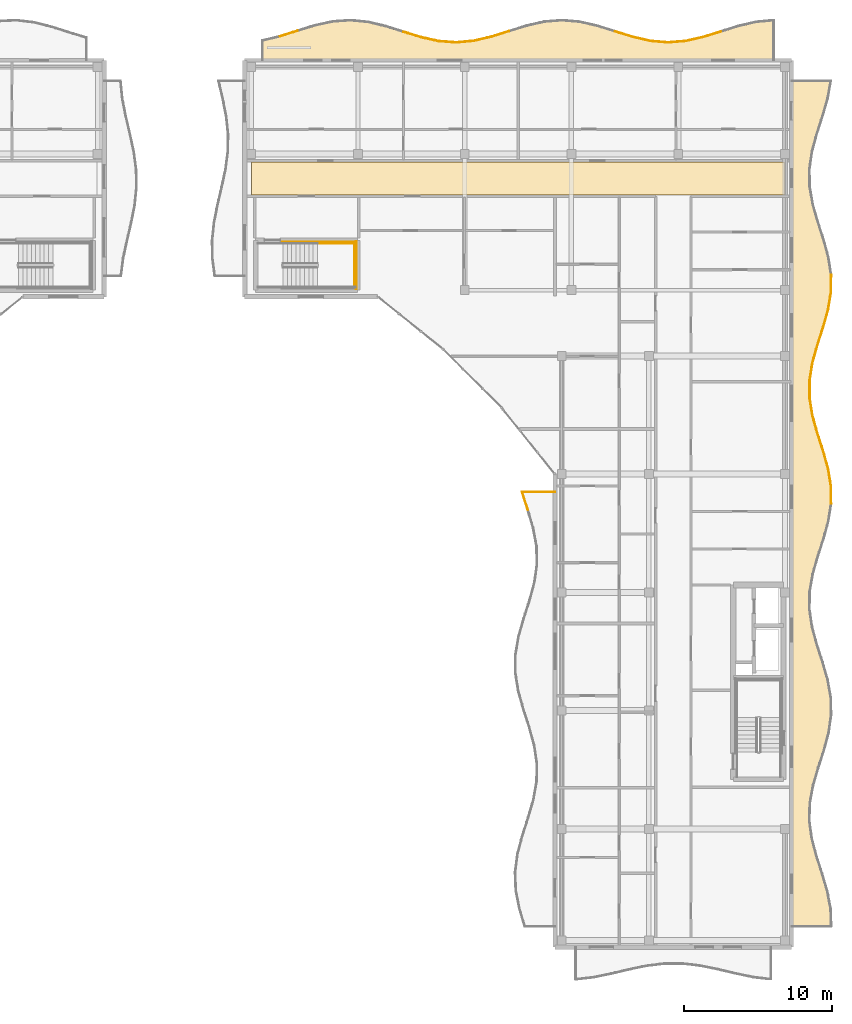
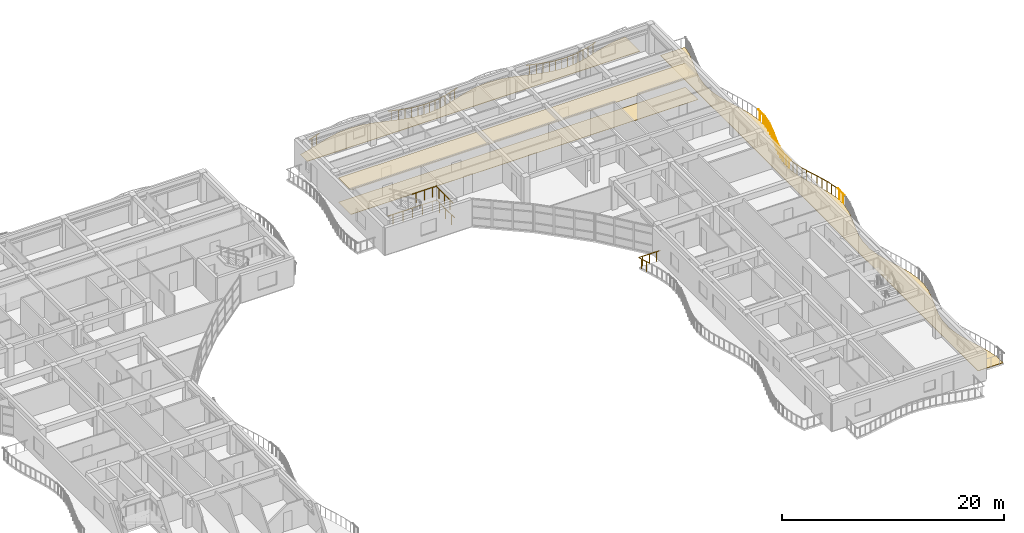
# One storey, part 71 of 72: 32 railings, 4 coverings.
"""IFC4 building model written with IfcOpenShell, lengths in metres."""

from ifc_helpers import new_model, si_unit, direction, frame, origin, origin_2d, place, context, subcontext, project, spatial, polyline, circle, outline, extrude, material, layer, layer_set, type_object, element, save


model = new_model("IFC4")

# Units and contexts
model_context = context("Model", 3, precision=1e-05, world=origin(), true_north=direction((0.0, 1.0)))
body_context = subcontext(model_context, "Body", "Model", "MODEL_VIEW")
ifc_project = project(units=[si_unit("LENGTHUNIT", "METRE"), si_unit("AREAUNIT", "SQUARE_METRE"), si_unit("VOLUMEUNIT", "CUBIC_METRE"), si_unit("PLANEANGLEUNIT", "RADIAN"), si_unit("MASSUNIT", "GRAM", prefix="KILO")], contexts=[model_context])

# Site, building, storey
site_placement = place(None, origin())
site = spatial("IfcSite", under=ifc_project, at=site_placement, CompositionType="ELEMENT")
building_placement = place(site_placement, origin())
building = spatial("IfcBuilding", under=site, at=building_placement, Name="Keldmere Railside Commons", CompositionType="ELEMENT")
storey_placement = place(building_placement, frame((0.0, 0.0, 16.9599609375)))
storey = spatial("IfcBuildingStorey", under=building, at=storey_placement, Name="L05", CompositionType="ELEMENT", Elevation=16.9599609375)

# Railings
ifc_material_1 = material(Name="Steel F-24 (S235)", Category="steel")
railing_type_1 = type_object("IfcRailingType", Name="Balcony & Terrace Steel Balustrade 1100", PredefinedType="BALUSTRADE", material=ifc_material_1)
railing_1_placement = place(storey_placement, frame((149.39306640625, 117.615234375, 0.0)))
element("IfcRailing", 1, at=railing_1_placement, inside=storey, type_object=railing_type_1, Name="GR-1 GRD-L05-3690", PredefinedType="BALUSTRADE", context=body_context, shape_type="SweptSolid", body=[
    extrude(circle(Radius=0.02392578125, at=origin_2d()), frame((0.0, 0.0, 1.076171875), z_axis=(0.953260788258, 0.302148754044, 0.0), x_axis=(-0.302148754044, 0.953260788258, 0.0)), (0.0, 0.0, 1.0), 1.251708984375),
    extrude(circle(Radius=0.02099609375, at=origin_2d()), frame((0.29833984375, 0.094482421875, 0.0)), (0.0, 0.0, 1.0), 1.048095703125),
    extrude(circle(Radius=0.02099609375, at=origin_2d()), frame((0.894775390625, 0.28369140625, 0.0)), (0.0, 0.0, 1.0), 1.048095703125),
])
railing_2_placement = place(storey_placement, frame((157.744873046875, 117.920166015625, 0.0)))
element("IfcRailing", 2, at=railing_2_placement, inside=storey, type_object=railing_type_1, Name="GR-1 GRD-L05-3697", PredefinedType="BALUSTRADE", context=body_context, shape_type="SweptSolid", body=[
    extrude(circle(Radius=0.02392578125, at=origin_2d()), frame((0.0, 0.0, 1.076171875), z_axis=(0.955376563598, -0.295390625659, 0.0), x_axis=(0.295390625659, 0.955376563598, 0.0)), (0.0, 0.0, 1.0), 1.248779296875),
    extrude(circle(Radius=0.02099609375, at=origin_2d()), frame((0.29833984375, -0.09228515625, 0.0)), (0.0, 0.0, 1.0), 1.048095703125),
    extrude(circle(Radius=0.02099609375, at=origin_2d()), frame((0.894775390625, -0.276611328125, 0.0)), (0.0, 0.0, 1.0), 1.048095703125),
])
railing_3_placement = place(storey_placement, frame((158.93798828125, 117.55126953125, 0.0)))
element("IfcRailing", 3, at=railing_3_placement, inside=storey, type_object=railing_type_1, Name="GR-1 GRD-L05-3698", PredefinedType="BALUSTRADE", context=body_context, shape_type="SweptSolid", body=[
    extrude(circle(Radius=0.02392578125, at=origin_2d()), frame((0.0, 0.0, 1.076171875), z_axis=(0.97652439159, -0.215406853721, 0.0), x_axis=(0.215406853721, 0.97652439159, 0.0)), (0.0, 0.0, 1.0), 1.2216796875),
    extrude(circle(Radius=0.02099609375, at=origin_2d()), frame((0.29833984375, -0.06591796875, 0.0)), (0.0, 0.0, 1.0), 1.048095703125),
    extrude(circle(Radius=0.02099609375, at=origin_2d()), frame((0.894775390625, -0.197265625, 0.0)), (0.0, 0.0, 1.0), 1.048095703125),
])
railing_4_placement = place(storey_placement, frame((160.131103515625, 117.2880859375, 0.0)))
element("IfcRailing", 4, at=railing_4_placement, inside=storey, type_object=railing_type_1, Name="GR-1 GRD-L05-3699", PredefinedType="BALUSTRADE", context=body_context, shape_type="SweptSolid", body=[
    extrude(circle(Radius=0.02392578125, at=origin_2d()), frame((0.0, 0.0, 1.076171875), z_axis=(0.99731267102, -0.073262788806, 0.0), x_axis=(0.073262788806, 0.99731267102, 0.0)), (0.0, 0.0, 1.0), 1.1962890625),
    extrude(circle(Radius=0.02099609375, at=origin_2d()), frame((0.29833984375, -0.02197265625, 0.0)), (0.0, 0.0, 1.0), 1.048095703125),
    extrude(circle(Radius=0.02099609375, at=origin_2d()), frame((0.894775390625, -0.065673828125, 0.0)), (0.0, 0.0, 1.0), 1.048095703125),
])
railing_5_placement = place(storey_placement, frame((161.32421875, 117.200439453125, 0.0)))
element("IfcRailing", 5, at=railing_5_placement, inside=storey, type_object=railing_type_1, Name="GR-1 GRD-L05-3700", PredefinedType="BALUSTRADE", context=body_context, shape_type="SweptSolid", body=[
    extrude(circle(Radius=0.02392578125, at=origin_2d()), frame((0.0, 0.0, 1.076171875), z_axis=(0.995710826386, 0.092519999013, 0.0), x_axis=(-0.092519999013, 0.995710826386, 0.0)), (0.0, 0.0, 1.0), 1.197998046875),
    extrude(circle(Radius=0.02099609375, at=origin_2d()), frame((0.29833984375, 0.02783203125, 0.0)), (0.0, 0.0, 1.0), 1.048095703125),
    extrude(circle(Radius=0.02099609375, at=origin_2d()), frame((0.89453125, 0.0830078125, 0.0)), (0.0, 0.0, 1.0), 1.048095703125),
])
railing_6_placement = place(storey_placement, frame((162.51708984375, 117.311279296875, 0.0)))
element("IfcRailing", 6, at=railing_6_placement, inside=storey, type_object=railing_type_1, Name="GR-1 GRD-L05-3701", PredefinedType="BALUSTRADE", context=body_context, shape_type="SweptSolid", body=[
    extrude(circle(Radius=0.02392578125, at=origin_2d()), frame((0.0, 0.0, 1.076171875), z_axis=(0.973545033959, 0.228495222826, 0.0), x_axis=(-0.228495222826, 0.973545033959, 0.0)), (0.0, 0.0, 1.0), 1.2255859375),
    extrude(circle(Radius=0.02099609375, at=origin_2d()), frame((0.29833984375, 0.070068359375, 0.0)), (0.0, 0.0, 1.0), 1.048095703125),
    extrude(circle(Radius=0.02099609375, at=origin_2d()), frame((0.894775390625, 0.2099609375, 0.0)), (0.0, 0.0, 1.0), 1.048095703125),
])
railing_7_placement = place(storey_placement, frame((163.710205078125, 117.59130859375, 0.0)))
element("IfcRailing", 7, at=railing_7_placement, inside=storey, type_object=railing_type_1, Name="GR-1 GRD-L05-3702", PredefinedType="BALUSTRADE", context=body_context, shape_type="SweptSolid", body=[
    extrude(circle(Radius=0.02392578125, at=origin_2d()), frame((0.0, 0.0, 1.076171875), z_axis=(0.953988930811, 0.299841824785, 0.0), x_axis=(-0.299841824785, 0.953988930811, 0.0)), (0.0, 0.0, 1.0), 1.250732421875),
    extrude(circle(Radius=0.02099609375, at=origin_2d()), frame((0.29833984375, 0.09375, 0.0)), (0.0, 0.0, 1.0), 1.048095703125),
    extrude(circle(Radius=0.02099609375, at=origin_2d()), frame((0.894775390625, 0.28125, 0.0)), (0.0, 0.0, 1.0), 1.048095703125),
])
railing_8_placement = place(storey_placement, frame((172.06201171875, 117.947021484375, 0.0)))
element("IfcRailing", 8, at=railing_8_placement, inside=storey, type_object=railing_type_1, Name="GR-1 GRD-L05-3709", PredefinedType="BALUSTRADE", context=body_context, shape_type="SweptSolid", body=[
    extrude(circle(Radius=0.02392578125, at=origin_2d()), frame((0.0, 0.0, 1.076171875), z_axis=(0.954545989282, -0.298063674984, 0.0), x_axis=(0.298063674984, 0.954545989282, 0.0)), (0.0, 0.0, 1.0), 1.25),
    extrude(circle(Radius=0.02099609375, at=origin_2d()), frame((0.29833984375, -0.09326171875, 0.0)), (0.0, 0.0, 1.0), 1.048095703125),
    extrude(circle(Radius=0.02099609375, at=origin_2d()), frame((0.894775390625, -0.279296875, 0.0)), (0.0, 0.0, 1.0), 1.048095703125),
])
railing_9_placement = place(storey_placement, frame((173.255126953125, 117.574462890625, 0.0)))
element("IfcRailing", 9, at=railing_9_placement, inside=storey, type_object=railing_type_1, Name="GR-1 GRD-L05-3710", PredefinedType="BALUSTRADE", context=body_context, shape_type="SweptSolid", body=[
    extrude(circle(Radius=0.02392578125, at=origin_2d()), frame((0.0, 0.0, 1.076171875), z_axis=(0.974773017353, -0.223198487092, 0.0), x_axis=(0.223198487092, 0.974773017353, 0.0)), (0.0, 0.0, 1.0), 1.223876953125),
    extrude(circle(Radius=0.02099609375, at=origin_2d()), frame((0.29833984375, -0.068359375, 0.0)), (0.0, 0.0, 1.0), 1.048095703125),
    extrude(circle(Radius=0.02099609375, at=origin_2d()), frame((0.894775390625, -0.204833984375, 0.0)), (0.0, 0.0, 1.0), 1.048095703125),
])
railing_10_placement = place(storey_placement, frame((174.4482421875, 117.30126953125, 0.0)))
element("IfcRailing", 10, at=railing_10_placement, inside=storey, type_object=railing_type_1, Name="GR-1 GRD-L05-3711", PredefinedType="BALUSTRADE", context=body_context, shape_type="SweptSolid", body=[
    extrude(circle(Radius=0.02392578125, at=origin_2d()), frame((0.0, 0.0, 1.076171875), z_axis=(0.996413751432, -0.084614632053, 0.0), x_axis=(0.084614632053, 0.996413751432, 0.0)), (0.0, 0.0, 1.0), 1.197509765625),
    extrude(circle(Radius=0.02099609375, at=origin_2d()), frame((0.29833984375, -0.025390625, 0.0)), (0.0, 0.0, 1.0), 1.048095703125),
    extrude(circle(Radius=0.02099609375, at=origin_2d()), frame((0.894775390625, -0.075927734375, 0.0)), (0.0, 0.0, 1.0), 1.048095703125),
])
railing_11_placement = place(storey_placement, frame((175.641357421875, 117.199951171875, 0.0)))
element("IfcRailing", 11, at=railing_11_placement, inside=storey, type_object=railing_type_1, Name="GR-1 GRD-L05-3712", PredefinedType="BALUSTRADE", context=body_context, shape_type="SweptSolid", body=[
    extrude(circle(Radius=0.02392578125, at=origin_2d()), frame((0.0, 0.0, 1.076171875), z_axis=(0.996683603188, 0.081374413274, 0.0), x_axis=(-0.081374413274, 0.996683603188, 0.0)), (0.0, 0.0, 1.0), 1.197021484375),
    extrude(circle(Radius=0.02099609375, at=origin_2d()), frame((0.29833984375, 0.0244140625, 0.0)), (0.0, 0.0, 1.0), 1.048095703125),
    extrude(circle(Radius=0.02099609375, at=origin_2d()), frame((0.894775390625, 0.072998046875, 0.0)), (0.0, 0.0, 1.0), 1.048095703125),
])
railing_12_placement = place(storey_placement, frame((176.83447265625, 117.29736328125, 0.0)))
element("IfcRailing", 12, at=railing_12_placement, inside=storey, type_object=railing_type_1, Name="GR-1 GRD-L05-3713", PredefinedType="BALUSTRADE", context=body_context, shape_type="SweptSolid", body=[
    extrude(circle(Radius=0.02392578125, at=origin_2d()), frame((0.0, 0.0, 1.076171875), z_axis=(0.975291397734, 0.220922360813, 0.0), x_axis=(-0.220922360813, 0.975291397734, 0.0)), (0.0, 0.0, 1.0), 1.223388671875),
    extrude(circle(Radius=0.02099609375, at=origin_2d()), frame((0.29833984375, 0.067626953125, 0.0)), (0.0, 0.0, 1.0), 1.048095703125),
    extrude(circle(Radius=0.02099609375, at=origin_2d()), frame((0.894775390625, 0.20263671875, 0.0)), (0.0, 0.0, 1.0), 1.048095703125),
])
railing_13_placement = place(storey_placement, frame((178.027587890625, 117.567626953125, 0.0)))
element("IfcRailing", 13, at=railing_13_placement, inside=storey, type_object=railing_type_1, Name="GR-1 GRD-L05-3714", PredefinedType="BALUSTRADE", context=body_context, shape_type="SweptSolid", body=[
    extrude(circle(Radius=0.02392578125, at=origin_2d()), frame((0.0, 0.0, 1.076171875), z_axis=(0.954768065673, 0.297351544087, 0.0), x_axis=(-0.297351544087, 0.954768065673, 0.0)), (0.0, 0.0, 1.0), 1.249755859375),
    extrude(circle(Radius=0.02099609375, at=origin_2d()), frame((0.29833984375, 0.0927734375, 0.0)), (0.0, 0.0, 1.0), 1.048095703125),
    extrude(circle(Radius=0.02099609375, at=origin_2d()), frame((0.894775390625, 0.27880859375, 0.0)), (0.0, 0.0, 1.0), 1.048095703125),
])
railing_14_placement = place(storey_placement, frame((166.16650390625, 85.574951171875, 0.0)))
element("IfcRailing", 14, at=railing_14_placement, inside=storey, type_object=railing_type_1, Name="GR-1 GRD-L05-3743", PredefinedType="BALUSTRADE", context=body_context, shape_type="SweptSolid", body=[
    extrude(circle(Radius=0.02392578125, at=origin_2d()), frame((0.0, 0.0, 1.076171875), z_axis=(-0.306021462963, 0.952024613235, 0.0), x_axis=(-0.952024613235, -0.306021462963, 0.0)), (0.0, 0.0, 1.0), 1.286865234375),
    extrude(circle(Radius=0.02099609375, at=origin_2d()), frame((-0.098388671875, 0.30615234375, 0.0)), (0.0, 0.0, 1.0), 1.048095703125),
    extrude(circle(Radius=0.02099609375, at=origin_2d()), frame((-0.29541015625, 0.9189453125, 0.0)), (0.0, 0.0, 1.0), 1.048095703125),
])
railing_15_placement = place(storey_placement, frame((165.772705078125, 86.800048828125, 0.0)))
element("IfcRailing", 15, at=railing_15_placement, inside=storey, type_object=railing_type_1, Name="GR-1 GRD-L05-3744", PredefinedType="BALUSTRADE", context=body_context, shape_type="SweptSolid", body=[
    extrude(circle(Radius=0.02392578125, at=origin_2d()), frame((0.0, 0.0, 1.076171875), z_axis=(1.0, 0.0, 0.0), x_axis=(0.0, 1.0, 0.0)), (0.0, 0.0, 1.0), 2.227294921875),
    extrude(circle(Radius=0.02099609375, at=origin_2d()), frame((0.37109375, 0.0, 0.0)), (0.0, 0.0, 1.0), 1.048095703125),
    extrude(circle(Radius=0.02099609375, at=origin_2d()), frame((1.11376953125, 0.0, 0.0)), (0.0, 0.0, 1.0), 1.048095703125),
    extrude(circle(Radius=0.02099609375, at=origin_2d()), frame((1.85595703125, 0.0, 0.0)), (0.0, 0.0, 1.0), 1.048095703125),
])
railing_16_placement = place(storey_placement, frame((186.67822265625, 86.0, 0.0)))
element("IfcRailing", 16, at=railing_16_placement, inside=storey, type_object=railing_type_1, Name="GR-1 GRD-L05-3770", PredefinedType="BALUSTRADE", context=body_context, shape_type="SweptSolid", body=[
    extrude(circle(Radius=0.02392578125, at=origin_2d()), frame((0.0, 0.0, 1.076171875), z_axis=(-0.005941300586, 0.999982350318, 0.0), x_axis=(-0.999982350318, -0.005941300586, 0.0)), (0.0, 0.0, 1.0), 1.191650390625),
    extrude(circle(Radius=0.02099609375, at=origin_2d()), frame((-0.001708984375, 0.2978515625, 0.0)), (0.0, 0.0, 1.0), 1.048095703125),
    extrude(circle(Radius=0.02099609375, at=origin_2d()), frame((-0.00537109375, 0.893798828125, 0.0)), (0.0, 0.0, 1.0), 1.048095703125),
])
railing_17_placement = place(storey_placement, frame((186.671142578125, 87.191650390625, 0.0)))
element("IfcRailing", 17, at=railing_17_placement, inside=storey, type_object=railing_type_1, Name="GR-1 GRD-L05-3771", PredefinedType="BALUSTRADE", context=body_context, shape_type="SweptSolid", body=[
    extrude(circle(Radius=0.02392578125, at=origin_2d()), frame((0.0, 0.0, 1.076171875), z_axis=(-0.163907359518, 0.986475735888, 0.0), x_axis=(-0.986475735888, -0.163907359518, 0.0)), (0.0, 0.0, 1.0), 1.2080078125),
    extrude(circle(Radius=0.02099609375, at=origin_2d()), frame((-0.049560546875, 0.2978515625, 0.0)), (0.0, 0.0, 1.0), 1.048095703125),
    extrude(circle(Radius=0.02099609375, at=origin_2d()), frame((-0.1484375, 0.893798828125, 0.0)), (0.0, 0.0, 1.0), 1.048095703125),
])
railing_18_placement = place(storey_placement, frame((186.47314453125, 88.38330078125, 0.0)))
element("IfcRailing", 18, at=railing_18_placement, inside=storey, type_object=railing_type_1, Name="GR-1 GRD-L05-3772", PredefinedType="BALUSTRADE", context=body_context, shape_type="SweptSolid", body=[
    extrude(circle(Radius=0.02392578125, at=origin_2d()), frame((0.0, 0.0, 1.076171875), z_axis=(-0.271333706361, 0.962485334845, 0.0), x_axis=(-0.962485334845, -0.271333706361, 0.0)), (0.0, 0.0, 1.0), 1.238037109375),
    extrude(circle(Radius=0.02099609375, at=origin_2d()), frame((-0.083984375, 0.2978515625, 0.0)), (0.0, 0.0, 1.0), 1.048095703125),
    extrude(circle(Radius=0.02099609375, at=origin_2d()), frame((-0.251953125, 0.893798828125, 0.0)), (0.0, 0.0, 1.0), 1.048095703125),
])
railing_19_placement = place(storey_placement, frame((186.13720703125, 89.574951171875, 0.0)))
element("IfcRailing", 19, at=railing_19_placement, inside=storey, type_object=railing_type_1, Name="GR-1 GRD-L05-3773", PredefinedType="BALUSTRADE", context=body_context, shape_type="SweptSolid", body=[
    extrude(circle(Radius=0.02392578125, at=origin_2d()), frame((0.0, 0.0, 1.076171875), z_axis=(-0.307970782238, 0.951395815256, 0.0), x_axis=(-0.951395815256, -0.307970782238, 0.0)), (0.0, 0.0, 1.0), 1.25244140625),
    extrude(circle(Radius=0.02099609375, at=origin_2d()), frame((-0.096435546875, 0.2978515625, 0.0)), (0.0, 0.0, 1.0), 1.048095703125),
    extrude(circle(Radius=0.02099609375, at=origin_2d()), frame((-0.289306640625, 0.893798828125, 0.0)), (0.0, 0.0, 1.0), 1.048095703125),
])
railing_20_placement = place(storey_placement, frame((185.75146484375, 90.7666015625, 0.0)))
element("IfcRailing", 20, at=railing_20_placement, inside=storey, type_object=railing_type_1, Name="GR-1 GRD-L05-3774", PredefinedType="BALUSTRADE", context=body_context, shape_type="SweptSolid", body=[
    extrude(circle(Radius=0.02392578125, at=origin_2d()), frame((0.0, 0.0, 1.076171875), z_axis=(-0.269139527182, 0.963101196608, 0.0), x_axis=(-0.963101196608, -0.269139527182, 0.0)), (0.0, 0.0, 1.0), 1.2373046875),
    extrude(circle(Radius=0.02099609375, at=origin_2d()), frame((-0.083251953125, 0.2978515625, 0.0)), (0.0, 0.0, 1.0), 1.048095703125),
    extrude(circle(Radius=0.02099609375, at=origin_2d()), frame((-0.249755859375, 0.893798828125, 0.0)), (0.0, 0.0, 1.0), 1.048095703125),
])
railing_21_placement = place(storey_placement, frame((185.41845703125, 91.958251953125, 0.0)))
element("IfcRailing", 21, at=railing_21_placement, inside=storey, type_object=railing_type_1, Name="GR-1 GRD-L05-3775", PredefinedType="BALUSTRADE", context=body_context, shape_type="SweptSolid", body=[
    extrude(circle(Radius=0.02392578125, at=origin_2d()), frame((0.0, 0.0, 1.076171875), z_axis=(-0.159575804118, 0.987185677945, 0.0), x_axis=(-0.987185677945, -0.159575804118, 0.0)), (0.0, 0.0, 1.0), 1.20703125),
    extrude(circle(Radius=0.02099609375, at=origin_2d()), frame((-0.048095703125, 0.2978515625, 0.0)), (0.0, 0.0, 1.0), 1.048095703125),
    extrude(circle(Radius=0.02099609375, at=origin_2d()), frame((-0.14453125, 0.893798828125, 0.0)), (0.0, 0.0, 1.0), 1.048095703125),
])
railing_22_placement = place(storey_placement, frame((185.225830078125, 93.14990234375, 0.0)))
element("IfcRailing", 22, at=railing_22_placement, inside=storey, type_object=railing_type_1, Name="GR-1 GRD-L05-3776", PredefinedType="BALUSTRADE", context=body_context, shape_type="SweptSolid", body=[
    extrude(circle(Radius=0.02392578125, at=origin_2d()), frame((0.0, 0.0, 1.076171875), z_axis=(-0.001024169885, 0.999999475538, 0.0), x_axis=(-0.999999475538, -0.001024169885, 0.0)), (0.0, 0.0, 1.0), 1.19189453125),
    extrude(circle(Radius=0.02099609375, at=origin_2d()), frame((-0.000244140625, 0.2978515625, 0.0)), (0.0, 0.0, 1.0), 1.048095703125),
    extrude(circle(Radius=0.02099609375, at=origin_2d()), frame((-0.0009765625, 0.89404296875, 0.0)), (0.0, 0.0, 1.0), 1.048095703125),
])
railing_23_placement = place(storey_placement, frame((185.224609375, 94.341796875, 0.0)))
element("IfcRailing", 23, at=railing_23_placement, inside=storey, type_object=railing_type_1, Name="GR-1 GRD-L05-3777", PredefinedType="BALUSTRADE", context=body_context, shape_type="SweptSolid", body=[
    extrude(circle(Radius=0.02392578125, at=origin_2d()), frame((0.0, 0.0, 1.076171875), z_axis=(0.158029959463, 0.987434317771, 0.0), x_axis=(-0.987434317771, 0.158029959463, 0.0)), (0.0, 0.0, 1.0), 1.20654296875),
    extrude(circle(Radius=0.02099609375, at=origin_2d()), frame((0.047607421875, 0.2978515625, 0.0)), (0.0, 0.0, 1.0), 1.048095703125),
    extrude(circle(Radius=0.02099609375, at=origin_2d()), frame((0.14306640625, 0.8935546875, 0.0)), (0.0, 0.0, 1.0), 1.048095703125),
])
railing_24_placement = place(storey_placement, frame((185.415283203125, 95.533203125, 0.0)))
element("IfcRailing", 24, at=railing_24_placement, inside=storey, type_object=railing_type_1, Name="GR-1 GRD-L05-3778", PredefinedType="BALUSTRADE", context=body_context, shape_type="SweptSolid", body=[
    extrude(circle(Radius=0.02392578125, at=origin_2d()), frame((0.0, 0.0, 1.076171875), z_axis=(0.268173055424, 0.963370755392, 0.0), x_axis=(-0.963370755392, 0.268173055424, 0.0)), (0.0, 0.0, 1.0), 1.2373046875),
    extrude(circle(Radius=0.02099609375, at=origin_2d()), frame((0.0830078125, 0.2978515625, 0.0)), (0.0, 0.0, 1.0), 1.048095703125),
    extrude(circle(Radius=0.02099609375, at=origin_2d()), frame((0.248779296875, 0.89404296875, 0.0)), (0.0, 0.0, 1.0), 1.048095703125),
])
railing_25_placement = place(storey_placement, frame((185.7470703125, 96.72509765625, 0.0)))
element("IfcRailing", 25, at=railing_25_placement, inside=storey, type_object=railing_type_1, Name="GR-1 GRD-L05-3779", PredefinedType="BALUSTRADE", context=body_context, shape_type="SweptSolid", body=[
    extrude(circle(Radius=0.02392578125, at=origin_2d()), frame((0.0, 0.0, 1.076171875), z_axis=(0.307794335351, 0.951452913772, 0.0), x_axis=(-0.951452913772, 0.307794335351, 0.0)), (0.0, 0.0, 1.0), 1.25244140625),
    extrude(circle(Radius=0.02099609375, at=origin_2d()), frame((0.096435546875, 0.2978515625, 0.0)), (0.0, 0.0, 1.0), 1.048095703125),
    extrude(circle(Radius=0.02099609375, at=origin_2d()), frame((0.2890625, 0.893798828125, 0.0)), (0.0, 0.0, 1.0), 1.048095703125),
])
railing_26_placement = place(storey_placement, frame((186.132568359375, 97.916748046875, 0.0)))
element("IfcRailing", 26, at=railing_26_placement, inside=storey, type_object=railing_type_1, Name="GR-1 GRD-L05-3780", PredefinedType="BALUSTRADE", context=body_context, shape_type="SweptSolid", body=[
    extrude(circle(Radius=0.02392578125, at=origin_2d()), frame((0.0, 0.0, 1.076171875), z_axis=(0.272429214059, 0.962175827657, 0.0), x_axis=(-0.962175827657, 0.272429214059, 0.0)), (0.0, 0.0, 1.0), 1.238525390625),
    extrude(circle(Radius=0.02099609375, at=origin_2d()), frame((0.08447265625, 0.2978515625, 0.0)), (0.0, 0.0, 1.0), 1.048095703125),
    extrude(circle(Radius=0.02099609375, at=origin_2d()), frame((0.2529296875, 0.893798828125, 0.0)), (0.0, 0.0, 1.0), 1.048095703125),
])
railing_27_placement = place(storey_placement, frame((186.469970703125, 99.1083984375, 0.0)))
element("IfcRailing", 27, at=railing_27_placement, inside=storey, type_object=railing_type_1, Name="GR-1 GRD-L05-3781", PredefinedType="BALUSTRADE", context=body_context, shape_type="SweptSolid", body=[
    extrude(circle(Radius=0.02392578125, at=origin_2d()), frame((0.0, 0.0, 1.076171875), z_axis=(0.165480136832, 0.986213123171, 0.0), x_axis=(-0.986213123171, 0.165480136832, 0.0)), (0.0, 0.0, 1.0), 1.208251953125),
    extrude(circle(Radius=0.02099609375, at=origin_2d()), frame((0.050048828125, 0.2978515625, 0.0)), (0.0, 0.0, 1.0), 1.048095703125),
    extrude(circle(Radius=0.02099609375, at=origin_2d()), frame((0.14990234375, 0.893798828125, 0.0)), (0.0, 0.0, 1.0), 1.048095703125),
])
railing_28_placement = place(storey_placement, frame((186.669921875, 100.300048828125, 0.0)))
element("IfcRailing", 28, at=railing_28_placement, inside=storey, type_object=railing_type_1, Name="GR-1 GRD-L05-3782", PredefinedType="BALUSTRADE", context=body_context, shape_type="SweptSolid", body=[
    extrude(circle(Radius=0.02392578125, at=origin_2d()), frame((0.0, 0.0, 1.076171875), z_axis=(0.007989910905, 0.999968080152, 0.0), x_axis=(-0.999968080152, 0.007989910905, 0.0)), (0.0, 0.0, 1.0), 1.191650390625),
    extrude(circle(Radius=0.02099609375, at=origin_2d()), frame((0.00244140625, 0.2978515625, 0.0)), (0.0, 0.0, 1.0), 1.048095703125),
    extrude(circle(Radius=0.02099609375, at=origin_2d()), frame((0.007080078125, 0.893798828125, 0.0)), (0.0, 0.0, 1.0), 1.048095703125),
])

# Covering
ifc_material_2 = material(Name="Polished Terrazzo Tile Flooring", Category="concrete")
ifc_layer_1 = layer(ifc_material_2, 0.030029296875, Name="Polished Terrazzo Floor Finish 30")
ifc_layer_set_1 = layer_set([ifc_layer_1], Name="Polished Terrazzo Tile Flooring")
covering_type_1 = type_object("IfcCoveringType", Name="Polished Terrazzo Floor Finish 30", PredefinedType="FLOORING", material=ifc_layer_set_1)
covering_1_placement = place(storey_placement, origin())
element("IfcCovering", 29, at=covering_1_placement, inside=storey, type_object=covering_type_1, Name="FLR-1 Corridor Terrazzo A-L05", PredefinedType="FLOORING", context=body_context, shape_type="SweptSolid", body=[
    extrude(outline(polyline([(147.47998046875, 106.8798828125), (183.52001953125, 106.8798828125), (183.52001953125, 109.1201171875), (147.47998046875, 109.1201171875), (147.47998046875, 106.8798828125)])), origin(), (0.0, 0.0, 1.0), 0.030029296875),
])

# Railings
railing_type_2 = type_object("IfcRailingType", Name="Stair Well Steel Guardrail 1100", PredefinedType="BALUSTRADE", material=ifc_material_1)
railing_29_placement = place(storey_placement, frame((151.919921875, 103.60009765625, 1.60009765625)))
element("IfcRailing", 30, at=railing_29_placement, inside=storey, type_object=railing_type_2, Name="L05 ST-A2 stair guard 4", PredefinedType="BALUSTRADE", context=body_context, shape_type="SweptSolid", body=[
    extrude(circle(Radius=0.02392578125, at=origin_2d()), frame((0.0, 0.0, 1.076171875), z_axis=(1.0, 0.0, 0.0), x_axis=(0.0, 1.0, 0.0)), (0.0, 0.0, 1.0), 2.580078125),
    extrude(circle(Radius=0.02099609375, at=origin_2d()), frame((0.429931640625, 0.0, 0.0)), (0.0, 0.0, 1.0), 1.048095703125),
    extrude(circle(Radius=0.02099609375, at=origin_2d()), frame((1.2900390625, 0.0, 0.0)), (0.0, 0.0, 1.0), 1.048095703125),
    extrude(circle(Radius=0.02099609375, at=origin_2d()), frame((2.150146484375, 0.0, 0.0)), (0.0, 0.0, 1.0), 1.048095703125),
])
railing_30_placement = place(storey_placement, frame((154.449951171875, 100.60009765625, 1.60009765625)))
element("IfcRailing", 31, at=railing_30_placement, inside=storey, type_object=railing_type_2, Name="L05 ST-A2 stair guard 5", PredefinedType="BALUSTRADE", context=body_context, shape_type="SweptSolid", body=[
    extrude(circle(Radius=0.02392578125, at=origin_2d()), frame((0.0, 0.0, 1.076171875), z_axis=(0.0, 1.0, 0.0), x_axis=(-1.0, 0.0, 0.0)), (0.0, 0.0, 1.0), 3.0498046875),
    extrude(circle(Radius=0.02099609375, at=origin_2d()), frame((0.0, 0.50830078125, 0.0)), (0.0, 0.0, 1.0), 1.048095703125),
    extrude(circle(Radius=0.02099609375, at=origin_2d()), frame((0.0, 1.52490234375, 0.0)), (0.0, 0.0, 1.0), 1.048095703125),
    extrude(circle(Radius=0.02099609375, at=origin_2d()), frame((0.0, 2.54150390625, 0.0)), (0.0, 0.0, 1.0), 1.048095703125),
])
railing_31_placement = place(storey_placement, frame((149.5, 103.699951171875, 0.0)))
element("IfcRailing", 32, at=railing_31_placement, inside=storey, type_object=railing_type_2, Name="L05 ST-A2 stair guard 11", PredefinedType="BALUSTRADE", context=body_context, shape_type="SweptSolid", body=[
    extrude(circle(Radius=0.02392578125, at=origin_2d()), frame((0.0, 0.0, 1.076171875), z_axis=(1.0, 0.0, 0.0), x_axis=(0.0, 1.0, 0.0)), (0.0, 0.0, 1.0), 5.10009765625),
    extrude(circle(Radius=0.02099609375, at=origin_2d()), frame((0.510009765625, 0.0, 0.0)), (0.0, 0.0, 1.0), 1.048095703125),
    extrude(circle(Radius=0.02099609375, at=origin_2d()), frame((1.530029296875, 0.0, 0.0)), (0.0, 0.0, 1.0), 1.048095703125),
    extrude(circle(Radius=0.02099609375, at=origin_2d()), frame((2.550048828125, 0.0, 0.0)), (0.0, 0.0, 1.0), 1.048095703125),
    extrude(circle(Radius=0.02099609375, at=origin_2d()), frame((3.570068359375, 0.0, 0.0)), (0.0, 0.0, 1.0), 1.048095703125),
    extrude(circle(Radius=0.02099609375, at=origin_2d()), frame((4.590087890625, 0.0, 0.0)), (0.0, 0.0, 1.0), 1.048095703125),
])
railing_32_placement = place(storey_placement, frame((154.550048828125, 100.5, 0.0)))
element("IfcRailing", 33, at=railing_32_placement, inside=storey, type_object=railing_type_2, Name="L05 ST-A2 stair guard 12", PredefinedType="BALUSTRADE", context=body_context, shape_type="SweptSolid", body=[
    extrude(circle(Radius=0.02392578125, at=origin_2d()), frame((0.0, 0.0, 1.076171875), z_axis=(0.0, 1.0, 0.0), x_axis=(-1.0, 0.0, 0.0)), (0.0, 0.0, 1.0), 3.25),
    extrude(circle(Radius=0.02099609375, at=origin_2d()), frame((0.0, 0.541748046875, 0.0)), (0.0, 0.0, 1.0), 1.048095703125),
    extrude(circle(Radius=0.02099609375, at=origin_2d()), frame((0.0, 1.625, 0.0)), (0.0, 0.0, 1.0), 1.048095703125),
    extrude(circle(Radius=0.02099609375, at=origin_2d()), frame((0.0, 2.708251953125, 0.0)), (0.0, 0.0, 1.0), 1.048095703125),
])

# Coverings
ifc_material_3 = material(Name="Acoustic Mineral-Fibre Gypsum Ceiling", Category="gypsum")
ifc_layer_2 = layer(ifc_material_3, 0.02490234375, Name="Suspended Acoustic Ceiling 25")
ifc_layer_set_2 = layer_set([ifc_layer_2], Name="Acoustic Mineral-Fibre Gypsum Ceiling")
covering_type_2 = type_object("IfcCoveringType", Name="Suspended Acoustic Ceiling 25", PredefinedType="CEILING", material=ifc_layer_set_2)
covering_2_placement = place(storey_placement, frame((0.0, 0.0, 2.675048828125)))
element("IfcCovering", 34, at=covering_2_placement, inside=storey, type_object=covering_type_2, Name="CLG-1 Corridor Ceiling A-L05", PredefinedType="CEILING", context=body_context, shape_type="SweptSolid", body=[
    extrude(outline(polyline([(147.47998046875, 106.8798828125), (183.52001953125, 106.8798828125), (183.52001953125, 109.1201171875), (147.47998046875, 109.1201171875), (147.47998046875, 106.8798828125)])), origin(), (0.0, 0.0, 1.0), 0.02490234375),
])
ifc_material_4 = material(Name="White Precast Concrete C35/45", Category="concrete")
ifc_layer_3 = layer(ifc_material_4, 0.044921875, Name="White Architectural Balcony Ribbon Cladding 45")
ifc_layer_set_3 = layer_set([ifc_layer_3], Name="White Precast Concrete C35/45")
covering_type_3 = type_object("IfcCoveringType", Name="White Architectural Balcony Ribbon Cladding 45", PredefinedType="FLOORING", material=ifc_layer_set_3)
covering_3_placement = place(storey_placement, origin())
element("IfcCovering", 35, at=covering_3_placement, inside=storey, type_object=covering_type_3, Name="CLG-WB A L05 N White Balcony Ribbon", PredefinedType="FLOORING", context=body_context, shape_type="SweptSolid", body=[
    extrude(outline(polyline([(182.760009765625, 116.0400390625), (182.760009765625, 118.656005859375), (181.61328125, 118.55224609375), (180.42431640625, 118.275146484375), (179.232666015625, 117.901123046875), (179.232666015625, 117.901123046875), (178.03955078125, 117.529541015625), (178.036376953125, 117.52880859375), (176.84326171875, 117.25830078125), (176.837890625, 117.257568359375), (175.644775390625, 117.16015625), (175.641357421875, 117.159912109375), (175.637939453125, 117.16015625), (174.44482421875, 117.261474609375), (174.439453125, 117.26220703125), (173.246337890625, 117.535400390625), (173.243408203125, 117.536376953125), (172.05029296875, 117.908935546875), (170.8583984375, 118.281982421875), (169.669677734375, 118.55615234375), (168.482666015625, 118.659912109375), (167.295654296875, 118.565673828125), (166.10693359375, 118.298583984375), (164.915283203125, 117.92822265625), (163.722412109375, 117.552978515625), (163.719482421875, 117.552490234375), (162.5263671875, 117.272216796875), (162.52099609375, 117.271484375), (161.327880859375, 117.16064453125), (161.324462890625, 117.160400390625), (161.3212890625, 117.160400390625), (160.128173828125, 117.248291015625), (160.122314453125, 117.2490234375), (158.92919921875, 117.51220703125), (158.926025390625, 117.51318359375), (157.73291015625, 117.8818359375), (157.73291015625, 117.882080078125), (156.541015625, 118.25830078125), (155.35205078125, 118.5419921875), (154.164794921875, 118.658935546875), (152.97802734375, 118.578369140625), (151.789306640625, 118.3212890625), (150.59814453125, 117.955322265625), (149.4052734375, 117.5771484375), (149.402587890625, 117.576416015625), (148.239990234375, 117.294189453125), (148.239990234375, 116.0400390625), (182.760009765625, 116.0400390625)])), origin(), (0.0, 0.0, 1.0), 0.044921875),
])
covering_4_placement = place(storey_placement, origin())
element("IfcCovering", 36, at=covering_4_placement, inside=storey, type_object=covering_type_3, Name="CLG-WB A L05 CE White Balcony Ribbon", PredefinedType="FLOORING", context=body_context, shape_type="SweptSolid", body=[
    extrude(outline(polyline([(186.6103515625, 58.58740234375), (186.385498046875, 59.77392578125), (186.034912109375, 60.963134765625), (185.651123046875, 62.154296875), (185.650390625, 62.156494140625), (185.335693359375, 63.34814453125), (185.334716796875, 63.352783203125), (185.172119140625, 64.544677734375), (185.171630859375, 64.5478515625), (185.171630859375, 64.551025390625), (185.2041015625, 65.742919921875), (185.2041015625, 65.745849609375), (185.20458984375, 65.748779296875), (185.423583984375, 66.9404296875), (185.424560546875, 66.944580078125), (185.7724609375, 68.13623046875), (185.772705078125, 68.13720703125), (186.156982421875, 69.327880859375), (186.4755859375, 70.516357421875), (186.645263671875, 71.702392578125), (186.62158203125, 72.8876953125), (186.410400390625, 74.07421875), (186.06689453125, 75.26318359375), (185.68212890625, 76.454345703125), (185.681640625, 76.456298828125), (185.357177734375, 77.647705078125), (185.356201171875, 77.65234375), (185.178466796875, 78.843994140625), (185.177978515625, 78.847412109375), (185.177978515625, 78.8505859375), (185.193603515625, 80.042236328125), (185.19384765625, 80.04541015625), (185.194091796875, 80.048583984375), (185.399169921875, 81.239990234375), (185.400146484375, 81.244384765625), (185.740234375, 82.43603515625), (185.74072265625, 82.437255859375), (186.1259765625, 83.628173828125), (186.453857421875, 84.816650390625), (186.63818359375, 86.0029296875), (186.631103515625, 87.188232421875), (186.43408203125, 88.37451171875), (186.098876953125, 89.5634765625), (185.71337890625, 90.75439453125), (185.712890625, 90.755859375), (185.3798828125, 91.947509765625), (185.37890625, 91.951904296875), (185.186279296875, 93.1435546875), (185.185791015625, 93.146728515625), (185.185791015625, 93.14990234375), (185.1845703125, 94.341796875), (185.184814453125, 94.3447265625), (185.18505859375, 94.347900390625), (185.375732421875, 95.53955078125), (185.376708984375, 95.5439453125), (185.70849609375, 96.735595703125), (185.708984375, 96.7373046875), (186.09423828125, 97.92822265625), (186.430908203125, 99.1171875), (186.6298828125, 100.303466796875), (186.639404296875, 101.48876953125), (186.45703125, 102.6748046875), (186.13037109375, 103.863525390625), (185.7451171875, 105.054443359375), (185.744873046875, 105.0556640625), (185.403564453125, 106.247314453125), (185.402587890625, 106.25146484375), (185.195556640625, 107.443115234375), (185.1953125, 107.4462890625), (185.195068359375, 107.449462890625), (185.177001953125, 108.64111328125), (185.177001953125, 108.644287109375), (185.177490234375, 108.6474609375), (185.35302734375, 109.839111328125), (185.35400390625, 109.84375), (185.67724609375, 111.035400390625), (185.677734375, 111.037353515625), (186.0625, 112.228515625), (186.40673828125, 113.41748046875), (186.612060546875, 114.56005859375), (184.0400390625, 114.56005859375), (184.0400390625, 57.43994140625), (186.649658203125, 57.43994140625), (186.6103515625, 58.58740234375)])), origin(), (0.0, 0.0, 1.0), 0.044921875),
])

save(model, "model.ifc")
